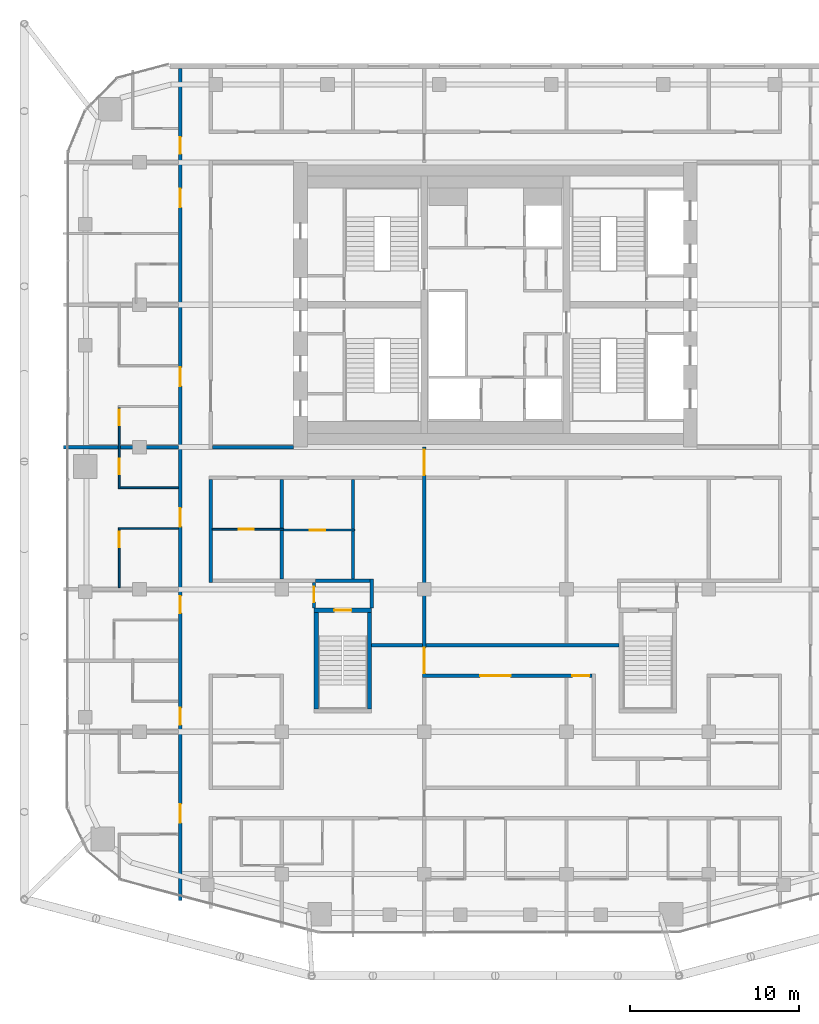
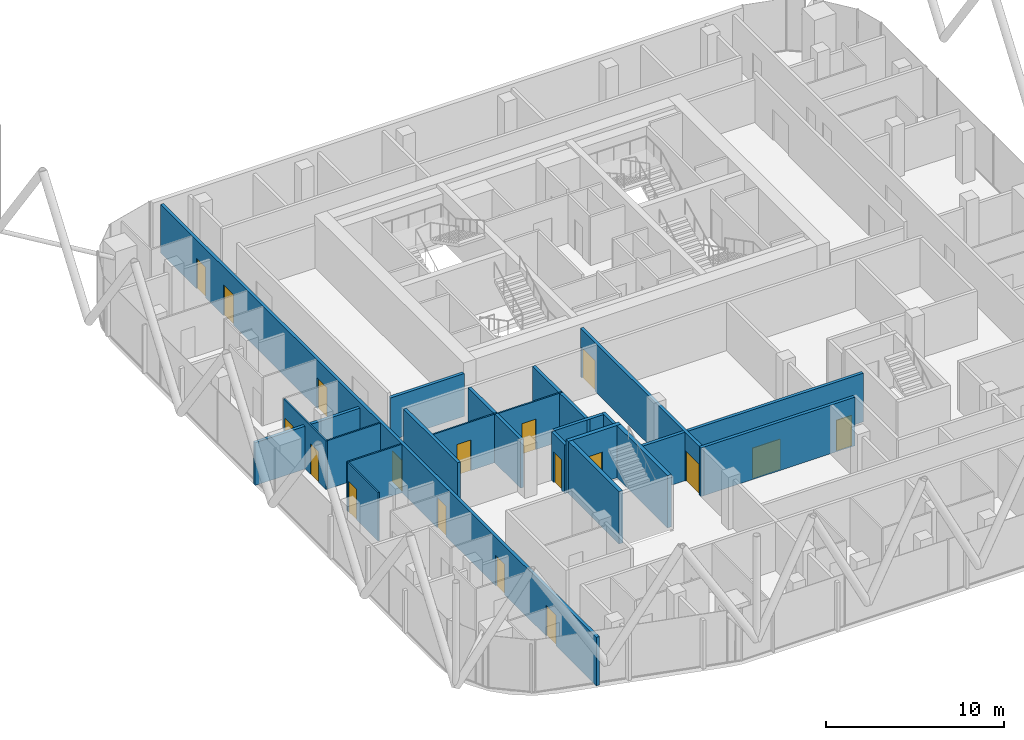
# One storey, part 21 of 28: 21 walls, 18 doors, 18 openings.
"""IFC4 building model written with IfcOpenShell, lengths in metres."""

from ifc_helpers import new_model, si_unit, direction, frame, frame_2d, origin, place, context, subcontext, project, spatial, rectangle, extrude, material, layer, layer_set, type_object, element, fill, save


model = new_model("IFC4")

# Units and contexts
model_context = context("Model", 3, precision=1e-05, world=origin(), true_north=direction((0.0, 1.0)))
body_context = subcontext(model_context, "Body", "Model", "MODEL_VIEW")
ifc_project = project(units=[si_unit("LENGTHUNIT", "METRE"), si_unit("AREAUNIT", "SQUARE_METRE"), si_unit("VOLUMEUNIT", "CUBIC_METRE"), si_unit("PLANEANGLEUNIT", "RADIAN"), si_unit("MASSUNIT", "GRAM", prefix="KILO")], contexts=[model_context])

# Site, building, storey
site_placement = place(None, origin())
site = spatial("IfcSite", under=ifc_project, at=site_placement, CompositionType="ELEMENT")
building_placement = place(site_placement, origin())
building = spatial("IfcBuilding", under=site, at=building_placement, Name="Marenta Gate Hotel Tower", CompositionType="ELEMENT")
storey_placement = place(building_placement, frame((0.0, 0.0, 198.5)))
storey = spatial("IfcBuildingStorey", under=building, at=storey_placement, Name="L45", CompositionType="ELEMENT", Elevation=198.5)

# Wall, openings, doors
ifc_material_1 = material(Name="Concrete blockwork", Category="masonry")
ifc_layer_1 = layer(ifc_material_1, 0.199951171875)
ifc_layer_set_1 = layer_set([ifc_layer_1], Name="Concrete blockwork")
wall_type_1 = type_object("IfcWallType", Name="Compartment wall 200 REI 180", PredefinedType="PARTITIONING", material=ifc_layer_set_1)
wall_1_placement = place(storey_placement, frame((-4.199951171875, -13.60009765625, 0.0), z_axis=(0.0, 0.0, 1.0), x_axis=(0.0, 1.0, 0.0)))
wall_1 = element("IfcWall", 1, at=wall_1_placement, inside=storey, type_object=wall_type_1, Name="L45-PTN-W071", PredefinedType="PARTITIONING", context=body_context, shape_type="SweptSolid", body=[
    extrude(rectangle(XDim=13.60009765625, YDim=0.199951171875, at=frame_2d((6.800048828125, 0.0))), origin(), (0.0, 0.0, 1.0), 3.340087890625),
])
opening_1_placement = place(wall_1_placement, frame((11.949951171875, 0.0, 0.0)))
opening_1 = element("IfcOpeningElement", 2, at=opening_1_placement, cuts=wall_1, Name="Opening G16-FD2", PredefinedType="OPENING", context=body_context, shape_type="SweptSolid", body=[
    extrude(rectangle(XDim=1.5, YDim=2.10009765625, at=frame_2d((0.75, 1.050048828125))), frame((0.0, 0.10009765625, 0.0), z_axis=(0.0, -1.0, 0.0), x_axis=(1.0, 0.0, 0.0)), (0.0, 0.0, 1.0), 0.199951171875),
])
opening_2_placement = place(wall_1_placement, frame((0.25, 0.0, 0.0)))
opening_2 = element("IfcOpeningElement", 3, at=opening_2_placement, cuts=wall_1, Name="Opening G16-FD3", PredefinedType="OPENING", context=body_context, shape_type="SweptSolid", body=[
    extrude(rectangle(XDim=1.5, YDim=2.10009765625, at=frame_2d((0.75, 1.050048828125))), frame((0.0, 0.10009765625, 0.0), z_axis=(0.0, -1.0, 0.0), x_axis=(1.0, 0.0, 0.0)), (0.0, 0.0, 1.0), 0.199951171875),
])
ifc_material_2 = material(Name="Hollow steel door set", Category="steel")
door_type_1 = type_object("IfcDoorType", Name="Compartment fire door 1500x2100 EI 60", OperationType="DOUBLE_DOOR_DOUBLE_SWING", PredefinedType="DOOR", material=ifc_material_2)
door_1_placement = place(opening_1_placement, origin())
door_1 = element("IfcDoor", 4, at=door_1_placement, inside=storey, type_object=door_type_1, Name="L45-PD-FD02", OperationType="DOUBLE_DOOR_DOUBLE_SWING", OverallHeight=2.10009765625, OverallWidth=1.5, PredefinedType="DOOR", context=body_context, shape_type="SweptSolid", body=[
    extrude(rectangle(XDim=1.5, YDim=2.10009765625, at=frame_2d((0.75, 1.050048828125))), frame((0.0, 0.02490234375, 0.0), z_axis=(0.0, -1.0, 0.0), x_axis=(1.0, 0.0, 0.0)), (0.0, 0.0, 1.0), 0.050048828125),
])
fill(opening_1, door_1)
door_2_placement = place(opening_2_placement, origin())
door_2 = element("IfcDoor", 5, at=door_2_placement, inside=storey, type_object=door_type_1, Name="L45-PD-FD03", OperationType="DOUBLE_DOOR_DOUBLE_SWING", OverallHeight=2.10009765625, OverallWidth=1.5, PredefinedType="DOOR", context=body_context, shape_type="SweptSolid", body=[
    extrude(rectangle(XDim=1.5, YDim=2.10009765625, at=frame_2d((0.75, 1.050048828125))), frame((0.0, 0.02490234375, 0.0), z_axis=(0.0, -1.0, 0.0), x_axis=(1.0, 0.0, 0.0)), (0.0, 0.0, 1.0), 0.050048828125),
])
fill(opening_2, door_2)

# Wall
ifc_material_3 = material(Name="Concrete blockwork", Category="masonry")
ifc_layer_2 = layer(ifc_material_3, 0.199951171875)
ifc_layer_set_2 = layer_set([ifc_layer_2], Name="Concrete blockwork")
wall_type_2 = type_object("IfcWallType", Name="Core boundary wall 200 REI 180", PredefinedType="PARTITIONING", material=ifc_layer_set_2)
wall_2_placement = place(storey_placement, frame((-16.699951171875, 0.0, 0.0), z_axis=(0.0, 0.0, 1.0), x_axis=(1.0, 0.0, 0.0)))
element("IfcWall", 6, at=wall_2_placement, inside=storey, type_object=wall_type_2, Name="L45-CP-EW-WS", PredefinedType="PARTITIONING", context=body_context, shape_type="SweptSolid", body=[
    extrude(rectangle(XDim=4.800048828125, YDim=0.199951171875, at=frame_2d((2.39990234375, 0.0))), origin(), (0.0, 0.0, 1.0), 2.93994140625),
])

# Wall, opening, door
ifc_material_4 = material(Name="Concrete C40", Category="concrete")
ifc_layer_3 = layer(ifc_material_4, 0.25)
ifc_layer_set_3 = layer_set([ifc_layer_3], Name="Concrete C40")
wall_type_3 = type_object("IfcWallType", Name="Remote stair enclosure wall 250 REI 180", PredefinedType="SHEAR", material=ifc_layer_set_3)
wall_3_placement = place(storey_placement, frame((-10.699951171875, -9.625, 0.10009765625), z_axis=(0.0, 0.0, 1.0), x_axis=(1.0, 0.0, 0.0)))
wall_3 = element("IfcWall", 7, at=wall_3_placement, inside=storey, type_object=wall_type_3, Name="L45-RS-Z3-1-W2", PredefinedType="SHEAR", context=body_context, shape_type="SweptSolid", body=[
    extrude(rectangle(XDim=3.39990234375, YDim=0.25, at=frame_2d((1.699951171875, 0.0))), origin(), (0.0, 0.0, 1.0), 3.599853515625),
])
opening_3_placement = place(wall_3_placement, frame((1.199951171875, 0.0, 0.0)))
opening_3 = element("IfcOpeningElement", 8, at=opening_3_placement, cuts=wall_3, Name="Opening VD", PredefinedType="OPENING", context=body_context, shape_type="SweptSolid", body=[
    extrude(rectangle(XDim=1.0, YDim=2.10009765625, at=frame_2d((0.5, 1.050048828125))), frame((0.0, 0.125, 0.0), z_axis=(0.0, -1.0, 0.0), x_axis=(1.0, 0.0, 0.0)), (0.0, 0.0, 1.0), 0.25),
])
ifc_material_5 = material(Name="Steel", Category="steel")
door_type_2 = type_object("IfcDoorType", Name="Stair vestibule door 1000x2100 FD60", OperationType="SINGLE_SWING_LEFT", PredefinedType="DOOR", material=ifc_material_5)
door_3_placement = place(opening_3_placement, origin())
door_3 = element("IfcDoor", 9, at=door_3_placement, inside=storey, type_object=door_type_2, Name="VD", OperationType="SINGLE_SWING_LEFT", OverallHeight=2.10009765625, OverallWidth=1.0, PredefinedType="DOOR", context=body_context, shape_type="SweptSolid", body=[
    extrude(rectangle(XDim=1.0, YDim=2.10009765625, at=frame_2d((0.5, 1.050048828125))), frame((0.0, 0.02490234375, 0.0), z_axis=(0.0, -1.0, 0.0), x_axis=(1.0, 0.0, 0.0)), (0.0, 0.0, 1.0), 0.050048828125),
])
fill(opening_3, door_3)

# Walls
for number, where, z_axis, x_axis, name in (
    (10, (-10.574951171875, -15.449951171875, 0.10009765625), (0.0, 0.0, 1.0), (0.0, 1.0, 0.0), "L45-RS-Z3-1-W3"),
    (11, (-7.425048828125, -15.449951171875, 0.10009765625), (0.0, 0.0, 1.0), (0.0, 1.0, 0.0), "L45-RS-Z3-1-W4"),
):
    element("IfcWall", number, at=place(storey_placement, frame(where, z_axis=z_axis, x_axis=x_axis)), inside=storey, type_object=wall_type_3, Name=name, PredefinedType="SHEAR", context=body_context, shape_type="SweptSolid", body=[
        extrude(rectangle(XDim=5.699951171875, YDim=0.25, at=frame_2d((2.85009765625, 0.0))), origin(), (0.0, 0.0, 1.0), 3.599853515625),
    ])

# Wall, openings, doors
ifc_material_6 = material(Name="Gypsum board on steel stud", Category="steel")
ifc_layer_4 = layer(ifc_material_6, 0.199951171875)
ifc_layer_set_4 = layer_set([ifc_layer_4], Name="Gypsum board on steel stud")
wall_type_4 = type_object("IfcWallType", Name="Room corridor wall 200 EI 60", PredefinedType="PARTITIONING", material=ifc_layer_set_4)
wall_4_placement = place(storey_placement, frame((-4.300048828125, -13.5, 0.0), z_axis=(0.0, 0.0, 1.0), x_axis=(1.0, 0.0, 0.0)))
wall_4 = element("IfcWall", 12, at=wall_4_placement, inside=storey, type_object=wall_type_4, Name="L45-PTN-W032", PredefinedType="PARTITIONING", context=body_context, shape_type="SweptSolid", body=[
    extrude(rectangle(XDim=10.0, YDim=0.199951171875, at=frame_2d((5.0, 0.0))), origin(), (0.0, 0.0, 1.0), 3.340087890625),
])
opening_4_placement = place(wall_4_placement, frame((3.39990234375, 0.0, 0.0)))
opening_4 = element("IfcOpeningElement", 13, at=opening_4_placement, cuts=wall_4, Name="Opening G16-11", PredefinedType="OPENING", context=body_context, shape_type="SweptSolid", body=[
    extrude(rectangle(XDim=1.800048828125, YDim=2.10009765625, at=frame_2d((0.89990234375, 1.050048828125))), frame((0.0, 0.10009765625, 0.0), z_axis=(0.0, -1.0, 0.0), x_axis=(1.0, 0.0, 0.0)), (0.0, 0.0, 1.0), 0.199951171875),
])
opening_5_placement = place(wall_4_placement, frame((8.85009765625, 0.0, 0.0)))
opening_5 = element("IfcOpeningElement", 14, at=opening_5_placement, cuts=wall_4, Name="Opening G16-12", PredefinedType="OPENING", context=body_context, shape_type="SweptSolid", body=[
    extrude(rectangle(XDim=1.0, YDim=2.10009765625, at=frame_2d((0.5, 1.050048828125))), frame((0.0, 0.10009765625, 0.0), z_axis=(0.0, -1.0, 0.0), x_axis=(1.0, 0.0, 0.0)), (0.0, 0.0, 1.0), 0.199951171875),
])
ifc_material_7 = material(Name="Timber door leaf", Category="wood")
door_type_3 = type_object("IfcDoorType", Name="Room amenity door 1000x2100 EI 30", OperationType="NOTDEFINED", PredefinedType="DOOR", material=ifc_material_7)
door_4_placement = place(opening_5_placement, origin())
door_4 = element("IfcDoor", 15, at=door_4_placement, inside=storey, type_object=door_type_3, Name="L45-PD-D012", OperationType="SINGLE_SWING_LEFT", OverallHeight=2.10009765625, OverallWidth=1.0, PredefinedType="DOOR", context=body_context, shape_type="SweptSolid", body=[
    extrude(rectangle(XDim=1.0, YDim=2.10009765625, at=frame_2d((0.5, 1.050048828125))), frame((0.0, 0.02490234375, 0.0), z_axis=(0.0, -1.0, 0.0), x_axis=(1.0, 0.0, 0.0)), (0.0, 0.0, 1.0), 0.050048828125),
])
fill(opening_5, door_4)
ifc_material_8 = material(Name="Timber door leaf", Category="wood")
door_type_4 = type_object("IfcDoorType", Name="Room amenity door 1800x2100 EI 30", OperationType="DOUBLE_DOOR_SINGLE_SWING", PredefinedType="DOOR", material=ifc_material_8)
door_5_placement = place(opening_4_placement, origin())
door_5 = element("IfcDoor", 16, at=door_5_placement, inside=storey, type_object=door_type_4, Name="L45-PD-D011", OperationType="DOUBLE_DOOR_SINGLE_SWING", OverallHeight=2.10009765625, OverallWidth=1.800048828125, PredefinedType="DOOR", context=body_context, shape_type="SweptSolid", body=[
    extrude(rectangle(XDim=1.800048828125, YDim=2.10009765625, at=frame_2d((0.89990234375, 1.050048828125))), frame((0.0, 0.02490234375, 0.0), z_axis=(0.0, -1.0, 0.0), x_axis=(1.0, 0.0, 0.0)), (0.0, 0.0, 1.0), 0.050048828125),
])
fill(opening_4, door_5)

# Walls
wall_5_placement = place(storey_placement, frame((-7.300048828125, -11.699951171875, 0.0), z_axis=(0.0, 0.0, 1.0), x_axis=(1.0, 0.0, 0.0)))
element("IfcWall", 17, at=wall_5_placement, inside=storey, type_object=wall_type_4, Name="L45-PTN-W040", PredefinedType="PARTITIONING", context=body_context, shape_type="SweptSolid", body=[
    extrude(rectangle(XDim=14.60009765625, YDim=0.199951171875, at=frame_2d((7.300048828125, 0.0))), origin(), (0.0, 0.0, 1.0), 3.340087890625),
])
wall_6_placement = place(storey_placement, frame((-16.800048828125, -8.0, 0.0), z_axis=(0.0, 0.0, 1.0), x_axis=(0.0, 1.0, 0.0)))
element("IfcWall", 18, at=wall_6_placement, inside=storey, type_object=wall_type_4, Name="L45-PTN-W095", PredefinedType="PARTITIONING", context=body_context, shape_type="SweptSolid", body=[
    extrude(rectangle(XDim=6.10009765625, YDim=0.199951171875, at=frame_2d((3.050048828125, 0.0))), origin(), (0.0, 0.0, 1.0), 3.340087890625),
])

# Wall, openings, doors
wall_7_placement = place(storey_placement, frame((-18.60009765625, -26.7509765625, 0.0), z_axis=(0.0, 0.0, 1.0), x_axis=(0.0, 1.0, 0.0)))
wall_7 = element("IfcWall", 19, at=wall_7_placement, inside=storey, type_object=wall_type_4, Name="L45-PTN-W099", PredefinedType="PARTITIONING", context=body_context, shape_type="SweptSolid", body=[
    extrude(rectangle(XDim=49.091064453125, YDim=0.199951171875, at=frame_2d((24.54541015625, 0.0))), origin(), (0.0, 0.0, 1.0), 3.340087890625),
])
opening_6_placement = place(wall_7_placement, frame((4.575927734375, 0.0, 0.0)))
opening_6 = element("IfcOpeningElement", 20, at=opening_6_placement, cuts=wall_7, Name="Opening G16-46", PredefinedType="OPENING", context=body_context, shape_type="SweptSolid", body=[
    extrude(rectangle(XDim=1.10009765625, YDim=2.10009765625, at=frame_2d((0.550048828125, 1.050048828125))), frame((0.0, 0.10009765625, 0.0), z_axis=(0.0, -1.0, 0.0), x_axis=(1.0, 0.0, 0.0)), (0.0, 0.0, 1.0), 0.199951171875),
])
opening_7_placement = place(wall_7_placement, frame((10.35107421875, 0.0, 0.0)))
opening_7 = element("IfcOpeningElement", 21, at=opening_7_placement, cuts=wall_7, Name="Opening G16-49", PredefinedType="OPENING", context=body_context, shape_type="SweptSolid", body=[
    extrude(rectangle(XDim=1.0, YDim=2.10009765625, at=frame_2d((0.5, 1.050048828125))), frame((0.0, 0.10009765625, 0.0), z_axis=(0.0, -1.0, 0.0), x_axis=(1.0, 0.0, 0.0)), (0.0, 0.0, 1.0), 0.199951171875),
])
opening_8_placement = place(wall_7_placement, frame((16.950927734375, 0.0, 0.0)))
opening_8 = element("IfcOpeningElement", 22, at=opening_8_placement, cuts=wall_7, Name="Opening G16-51", PredefinedType="OPENING", context=body_context, shape_type="SweptSolid", body=[
    extrude(rectangle(XDim=1.0, YDim=2.10009765625, at=frame_2d((0.5, 1.050048828125))), frame((0.0, 0.10009765625, 0.0), z_axis=(0.0, -1.0, 0.0), x_axis=(1.0, 0.0, 0.0)), (0.0, 0.0, 1.0), 0.199951171875),
])
opening_9_placement = place(wall_7_placement, frame((22.051025390625, 0.0, 0.0)))
opening_9 = element("IfcOpeningElement", 23, at=opening_9_placement, cuts=wall_7, Name="Opening G16-53", PredefinedType="OPENING", context=body_context, shape_type="SweptSolid", body=[
    extrude(rectangle(XDim=1.10009765625, YDim=2.10009765625, at=frame_2d((0.550048828125, 1.050048828125))), frame((0.0, 0.10009765625, 0.0), z_axis=(0.0, -1.0, 0.0), x_axis=(1.0, 0.0, 0.0)), (0.0, 0.0, 1.0), 0.199951171875),
])
opening_10_placement = place(wall_7_placement, frame((30.35107421875, 0.0, 0.0)))
opening_10 = element("IfcOpeningElement", 24, at=opening_10_placement, cuts=wall_7, Name="Opening G16-56", PredefinedType="OPENING", context=body_context, shape_type="SweptSolid", body=[
    extrude(rectangle(XDim=1.10009765625, YDim=2.10009765625, at=frame_2d((0.550048828125, 1.050048828125))), frame((0.0, 0.10009765625, 0.0), z_axis=(0.0, -1.0, 0.0), x_axis=(1.0, 0.0, 0.0)), (0.0, 0.0, 1.0), 0.199951171875),
])
opening_11_placement = place(wall_7_placement, frame((40.90087890625, 0.0, 0.0)))
opening_11 = element("IfcOpeningElement", 25, at=opening_11_placement, cuts=wall_7, Name="Opening G16-59", PredefinedType="OPENING", context=body_context, shape_type="SweptSolid", body=[
    extrude(rectangle(XDim=1.10009765625, YDim=2.10009765625, at=frame_2d((0.550048828125, 1.050048828125))), frame((0.0, 0.10009765625, 0.0), z_axis=(0.0, -1.0, 0.0), x_axis=(1.0, 0.0, 0.0)), (0.0, 0.0, 1.0), 0.199951171875),
])
opening_12_placement = place(wall_7_placement, frame((44.051025390625, 0.0, 0.0)))
opening_12 = element("IfcOpeningElement", 26, at=opening_12_placement, cuts=wall_7, Name="Opening G16-62", PredefinedType="OPENING", context=body_context, shape_type="SweptSolid", body=[
    extrude(rectangle(XDim=1.0, YDim=2.10009765625, at=frame_2d((0.5, 1.050048828125))), frame((0.0, 0.10009765625, 0.0), z_axis=(0.0, -1.0, 0.0), x_axis=(1.0, 0.0, 0.0)), (0.0, 0.0, 1.0), 0.199951171875),
])
ifc_material_9 = material(Name="Timber door leaf", Category="wood")
door_type_5 = type_object("IfcDoorType", Name="Guest room door 1000x2100 EI 30", OperationType="NOTDEFINED", PredefinedType="DOOR", material=ifc_material_9)
door_6_placement = place(opening_7_placement, origin())
door_6 = element("IfcDoor", 27, at=door_6_placement, inside=storey, type_object=door_type_5, Name="L45-PD-D049", OperationType="SINGLE_SWING_RIGHT", OverallHeight=2.10009765625, OverallWidth=1.0, PredefinedType="DOOR", context=body_context, shape_type="SweptSolid", body=[
    extrude(rectangle(XDim=1.0, YDim=2.10009765625, at=frame_2d((0.5, 1.050048828125))), frame((0.0, 0.02490234375, 0.0), z_axis=(0.0, -1.0, 0.0), x_axis=(1.0, 0.0, 0.0)), (0.0, 0.0, 1.0), 0.050048828125),
])
fill(opening_7, door_6)
door_7_placement = place(opening_8_placement, origin())
door_7 = element("IfcDoor", 28, at=door_7_placement, inside=storey, type_object=door_type_5, Name="L45-PD-D051", OperationType="SINGLE_SWING_RIGHT", OverallHeight=2.10009765625, OverallWidth=1.0, PredefinedType="DOOR", context=body_context, shape_type="SweptSolid", body=[
    extrude(rectangle(XDim=1.0, YDim=2.10009765625, at=frame_2d((0.5, 1.050048828125))), frame((0.0, 0.02490234375, 0.0), z_axis=(0.0, -1.0, 0.0), x_axis=(1.0, 0.0, 0.0)), (0.0, 0.0, 1.0), 0.050048828125),
])
fill(opening_8, door_7)
door_8_placement = place(opening_12_placement, origin())
door_8 = element("IfcDoor", 29, at=door_8_placement, inside=storey, type_object=door_type_5, Name="L45-PD-D062", OperationType="SINGLE_SWING_LEFT", OverallHeight=2.10009765625, OverallWidth=1.0, PredefinedType="DOOR", context=body_context, shape_type="SweptSolid", body=[
    extrude(rectangle(XDim=1.0, YDim=2.10009765625, at=frame_2d((0.5, 1.050048828125))), frame((0.0, 0.02490234375, 0.0), z_axis=(0.0, -1.0, 0.0), x_axis=(1.0, 0.0, 0.0)), (0.0, 0.0, 1.0), 0.050048828125),
])
fill(opening_12, door_8)
ifc_material_10 = material(Name="Timber door leaf", Category="wood")
door_type_6 = type_object("IfcDoorType", Name="Guest room door 1100x2100 EI 30", OperationType="NOTDEFINED", PredefinedType="DOOR", material=ifc_material_10)
door_9_placement = place(opening_6_placement, origin())
door_9 = element("IfcDoor", 30, at=door_9_placement, inside=storey, type_object=door_type_6, Name="L45-PD-D046", OperationType="SINGLE_SWING_LEFT", OverallHeight=2.10009765625, OverallWidth=1.10009765625, PredefinedType="DOOR", context=body_context, shape_type="SweptSolid", body=[
    extrude(rectangle(XDim=1.10009765625, YDim=2.10009765625, at=frame_2d((0.550048828125, 1.050048828125))), frame((0.0, 0.02490234375, 0.0), z_axis=(0.0, -1.0, 0.0), x_axis=(1.0, 0.0, 0.0)), (0.0, 0.0, 1.0), 0.050048828125),
])
fill(opening_6, door_9)
door_10_placement = place(opening_9_placement, origin())
door_10 = element("IfcDoor", 31, at=door_10_placement, inside=storey, type_object=door_type_6, Name="L45-PD-D053", OperationType="SINGLE_SWING_LEFT", OverallHeight=2.10009765625, OverallWidth=1.10009765625, PredefinedType="DOOR", context=body_context, shape_type="SweptSolid", body=[
    extrude(rectangle(XDim=1.10009765625, YDim=2.10009765625, at=frame_2d((0.550048828125, 1.050048828125))), frame((0.0, 0.02490234375, 0.0), z_axis=(0.0, -1.0, 0.0), x_axis=(1.0, 0.0, 0.0)), (0.0, 0.0, 1.0), 0.050048828125),
])
fill(opening_9, door_10)
door_11_placement = place(opening_10_placement, origin())
door_11 = element("IfcDoor", 32, at=door_11_placement, inside=storey, type_object=door_type_6, Name="L45-PD-D056", OperationType="SINGLE_SWING_RIGHT", OverallHeight=2.10009765625, OverallWidth=1.10009765625, PredefinedType="DOOR", context=body_context, shape_type="SweptSolid", body=[
    extrude(rectangle(XDim=1.10009765625, YDim=2.10009765625, at=frame_2d((0.550048828125, 1.050048828125))), frame((0.0, 0.02490234375, 0.0), z_axis=(0.0, -1.0, 0.0), x_axis=(1.0, 0.0, 0.0)), (0.0, 0.0, 1.0), 0.050048828125),
])
fill(opening_10, door_11)
door_12_placement = place(opening_11_placement, origin())
door_12 = element("IfcDoor", 33, at=door_12_placement, inside=storey, type_object=door_type_6, Name="L45-PD-D059", OperationType="SINGLE_SWING_RIGHT", OverallHeight=2.10009765625, OverallWidth=1.10009765625, PredefinedType="DOOR", context=body_context, shape_type="SweptSolid", body=[
    extrude(rectangle(XDim=1.10009765625, YDim=2.10009765625, at=frame_2d((0.550048828125, 1.050048828125))), frame((0.0, 0.02490234375, 0.0), z_axis=(0.0, -1.0, 0.0), x_axis=(1.0, 0.0, 0.0)), (0.0, 0.0, 1.0), 0.050048828125),
])
fill(opening_11, door_12)

# Wall, opening, door
ifc_material_11 = material(Name="Concrete blockwork", Category="masonry")
ifc_layer_5 = layer(ifc_material_11, 0.199951171875)
ifc_layer_set_5 = layer_set([ifc_layer_5], Name="Concrete blockwork")
wall_type_5 = type_object("IfcWallType", Name="Room corridor wall 200 REI 180", PredefinedType="PARTITIONING", material=ifc_layer_set_5)
wall_8_placement = place(storey_placement, frame((-10.699951171875, -9.5, 0.0), z_axis=(0.0, 0.0, 1.0), x_axis=(0.0, 1.0, 0.0)))
wall_8 = element("IfcWall", 34, at=wall_8_placement, inside=storey, type_object=wall_type_5, Name="L45-PTN-W082", PredefinedType="PARTITIONING", context=body_context, shape_type="SweptSolid", body=[
    extrude(rectangle(XDim=1.5, YDim=0.199951171875, at=frame_2d((0.75, 0.0))), origin(), (0.0, 0.0, 1.0), 3.340087890625),
])
opening_13_placement = place(wall_8_placement, frame((0.35009765625, 0.0, 0.0)))
opening_13 = element("IfcOpeningElement", 35, at=opening_13_placement, cuts=wall_8, Name="Opening G16-64", PredefinedType="OPENING", context=body_context, shape_type="SweptSolid", body=[
    extrude(rectangle(XDim=0.89990234375, YDim=2.10009765625, at=frame_2d((0.449951171875, 1.050048828125))), frame((0.0, 0.10009765625, 0.0), z_axis=(0.0, -1.0, 0.0), x_axis=(1.0, 0.0, 0.0)), (0.0, 0.0, 1.0), 0.199951171875),
])
ifc_material_12 = material(Name="Hollow steel door set", Category="steel")
door_type_7 = type_object("IfcDoorType", Name="Stair vestibule door 900x2100 EI 60", OperationType="NOTDEFINED", PredefinedType="DOOR", material=ifc_material_12)
door_13_placement = place(opening_13_placement, origin())
door_13 = element("IfcDoor", 36, at=door_13_placement, inside=storey, type_object=door_type_7, Name="L45-PD-D064", OperationType="SINGLE_SWING_LEFT", OverallHeight=2.10009765625, OverallWidth=0.89990234375, PredefinedType="DOOR", context=body_context, shape_type="SweptSolid", body=[
    extrude(rectangle(XDim=0.89990234375, YDim=2.10009765625, at=frame_2d((0.449951171875, 1.050048828125))), frame((0.0, 0.02490234375, 0.0), z_axis=(0.0, -1.0, 0.0), x_axis=(1.0, 0.0, 0.0)), (0.0, 0.0, 1.0), 0.050048828125),
])
fill(opening_13, door_13)

ifc_material_13 = material(Name="Gypsum board on steel stud", Category="steel")
ifc_layer_6 = layer(ifc_material_13, 0.10009765625)
ifc_layer_set_6 = layer_set([ifc_layer_6], Name="Gypsum board on steel stud")
wall_type_6 = type_object("IfcWallType", Name="Room partition 100", PredefinedType="PARTITIONING", material=ifc_layer_set_6)
wall_9_placement = place(storey_placement, frame((-12.5, -4.89990234375, 0.0), z_axis=(0.0, 0.0, 1.0), x_axis=(1.0, 0.0, 0.0)))
wall_9 = element("IfcWall", 37, at=wall_9_placement, inside=storey, type_object=wall_type_6, Name="L45-PTN-W055", PredefinedType="PARTITIONING", context=body_context, shape_type="SweptSolid", body=[
    extrude(rectangle(XDim=4.199951171875, YDim=0.10009765625, at=frame_2d((2.10009765625, 0.0))), origin(), (0.0, 0.0, 1.0), 3.340087890625),
])
opening_14_placement = place(wall_9_placement, frame((1.550048828125, 0.0, 0.0)))
opening_14 = element("IfcOpeningElement", 38, at=opening_14_placement, cuts=wall_9, Name="Opening G16-04", PredefinedType="OPENING", context=body_context, shape_type="SweptSolid", body=[
    extrude(rectangle(XDim=0.89990234375, YDim=2.10009765625, at=frame_2d((0.449951171875, 1.050048828125))), frame((0.0, 0.050048828125, 0.0), z_axis=(0.0, -1.0, 0.0), x_axis=(1.0, 0.0, 0.0)), (0.0, 0.0, 1.0), 0.10009765625),
])
ifc_material_14 = material(Name="Timber door leaf", Category="wood")
door_type_8 = type_object("IfcDoorType", Name="Room inner door 900x2100", OperationType="NOTDEFINED", PredefinedType="DOOR", material=ifc_material_14)
door_14_placement = place(opening_14_placement, origin())
door_14 = element("IfcDoor", 39, at=door_14_placement, inside=storey, type_object=door_type_8, Name="L45-PD-D004", OperationType="SINGLE_SWING_RIGHT", OverallHeight=2.10009765625, OverallWidth=0.89990234375, PredefinedType="DOOR", context=body_context, shape_type="SweptSolid", body=[
    extrude(rectangle(XDim=0.89990234375, YDim=2.10009765625, at=frame_2d((0.449951171875, 1.050048828125))), frame((0.0, 0.02490234375, 0.0), z_axis=(0.0, -1.0, 0.0), x_axis=(1.0, 0.0, 0.0)), (0.0, 0.0, 1.0), 0.050048828125),
])
fill(opening_14, door_14)

wall_10_placement = place(storey_placement, frame((-16.699951171875, -4.85009765625, 0.0), z_axis=(0.0, 0.0, 1.0), x_axis=(1.0, 0.0, 0.0)))
wall_10 = element("IfcWall", 40, at=wall_10_placement, inside=storey, type_object=wall_type_6, Name="L45-PTN-W056", PredefinedType="PARTITIONING", context=body_context, shape_type="SweptSolid", body=[
    extrude(rectangle(XDim=4.199951171875, YDim=0.10009765625, at=frame_2d((2.10009765625, 0.0))), origin(), (0.0, 0.0, 1.0), 3.340087890625),
])
opening_15_placement = place(wall_10_placement, frame((1.550048828125, 0.0, 0.0)))
opening_15 = element("IfcOpeningElement", 41, at=opening_15_placement, cuts=wall_10, Name="Opening G16-02", PredefinedType="OPENING", context=body_context, shape_type="SweptSolid", body=[
    extrude(rectangle(XDim=0.89990234375, YDim=2.10009765625, at=frame_2d((0.449951171875, 1.050048828125))), frame((0.0, 0.050048828125, 0.0), z_axis=(0.0, -1.0, 0.0), x_axis=(1.0, 0.0, 0.0)), (0.0, 0.0, 1.0), 0.10009765625),
])
door_15_placement = place(opening_15_placement, origin())
door_15 = element("IfcDoor", 42, at=door_15_placement, inside=storey, type_object=door_type_8, Name="L45-PD-D002", OperationType="SINGLE_SWING_RIGHT", OverallHeight=2.10009765625, OverallWidth=0.89990234375, PredefinedType="DOOR", context=body_context, shape_type="SweptSolid", body=[
    extrude(rectangle(XDim=0.89990234375, YDim=2.10009765625, at=frame_2d((0.449951171875, 1.050048828125))), frame((0.0, 0.02490234375, 0.0), z_axis=(0.0, -1.0, 0.0), x_axis=(1.0, 0.0, 0.0)), (0.0, 0.0, 1.0), 0.050048828125),
])
fill(opening_15, door_15)

# Walls
wall_11_placement = place(storey_placement, frame((-22.25, -4.800048828125, 0.0), z_axis=(0.0, 0.0, 1.0), x_axis=(1.0, 0.0, 0.0)))
element("IfcWall", 43, at=wall_11_placement, inside=storey, type_object=wall_type_6, Name="L45-PTN-W057", PredefinedType="PARTITIONING", context=body_context, shape_type="SweptSolid", body=[
    extrude(rectangle(XDim=3.550048828125, YDim=0.10009765625, at=frame_2d((1.77490234375, 0.0))), origin(), (0.0, 0.0, 1.0), 3.340087890625),
])
wall_12_placement = place(storey_placement, frame((-22.14990234375, -2.39990234375, 0.0), z_axis=(0.0, 0.0, 1.0), x_axis=(1.0, 0.0, 0.0)))
element("IfcWall", 44, at=wall_12_placement, inside=storey, type_object=wall_type_6, Name="L45-PTN-W063", PredefinedType="PARTITIONING", context=body_context, shape_type="SweptSolid", body=[
    extrude(rectangle(XDim=3.449951171875, YDim=0.10009765625, at=frame_2d((1.72509765625, 0.0))), origin(), (0.0, 0.0, 1.0), 3.340087890625),
])

# Wall, opening, door
wall_13_placement = place(storey_placement, frame((-22.199951171875, -8.300048828125, 0.0), z_axis=(0.0, 0.0, 1.0), x_axis=(0.0, 1.0, 0.0)))
wall_13 = element("IfcWall", 45, at=wall_13_placement, inside=storey, type_object=wall_type_6, Name="L45-PTN-W107", PredefinedType="PARTITIONING", context=body_context, shape_type="SweptSolid", body=[
    extrude(rectangle(XDim=3.449951171875, YDim=0.10009765625, at=frame_2d((1.72509765625, 0.0))), origin(), (0.0, 0.0, 1.0), 3.340087890625),
])
opening_16_placement = place(wall_13_placement, frame((2.39990234375, 0.0, 0.0)))
opening_16 = element("IfcOpeningElement", 46, at=opening_16_placement, cuts=wall_13, Name="Opening G16-54", PredefinedType="OPENING", context=body_context, shape_type="SweptSolid", body=[
    extrude(rectangle(XDim=0.89990234375, YDim=2.10009765625, at=frame_2d((0.449951171875, 1.050048828125))), frame((0.0, 0.050048828125, 0.0), z_axis=(0.0, -1.0, 0.0), x_axis=(1.0, 0.0, 0.0)), (0.0, 0.0, 1.0), 0.10009765625),
])
ifc_material_15 = material(Name="Timber door leaf", Category="wood")
door_type_9 = type_object("IfcDoorType", Name="Guest bathroom door 900x2100", OperationType="NOTDEFINED", PredefinedType="DOOR", material=ifc_material_15)
door_16_placement = place(opening_16_placement, origin())
door_16 = element("IfcDoor", 47, at=door_16_placement, inside=storey, type_object=door_type_9, Name="L45-PD-D054", OperationType="SINGLE_SWING_LEFT", OverallHeight=2.10009765625, OverallWidth=0.89990234375, PredefinedType="DOOR", context=body_context, shape_type="SweptSolid", body=[
    extrude(rectangle(XDim=0.89990234375, YDim=2.10009765625, at=frame_2d((0.449951171875, 1.050048828125))), frame((0.0, 0.02490234375, 0.0), z_axis=(0.0, -1.0, 0.0), x_axis=(1.0, 0.0, 0.0)), (0.0, 0.0, 1.0), 0.050048828125),
])
fill(opening_16, door_16)

# Wall, openings, doors
wall_14_placement = place(storey_placement, frame((-22.199951171875, -2.449951171875, 0.0), z_axis=(0.0, 0.0, 1.0), x_axis=(0.0, 1.0, 0.0)))
wall_14 = element("IfcWall", 48, at=wall_14_placement, inside=storey, type_object=wall_type_6, Name="L45-PTN-W108", PredefinedType="PARTITIONING", context=body_context, shape_type="SweptSolid", body=[
    extrude(rectangle(XDim=4.800048828125, YDim=0.10009765625, at=frame_2d((2.39990234375, 0.0))), origin(), (0.0, 0.0, 1.0), 3.340087890625),
])
opening_17_placement = place(wall_14_placement, frame((0.85009765625, 0.0, 0.0)))
opening_17 = element("IfcOpeningElement", 49, at=opening_17_placement, cuts=wall_14, Name="Opening G16-55", PredefinedType="OPENING", context=body_context, shape_type="SweptSolid", body=[
    extrude(rectangle(XDim=0.89990234375, YDim=2.10009765625, at=frame_2d((0.449951171875, 1.050048828125))), frame((0.0, 0.050048828125, 0.0), z_axis=(0.0, -1.0, 0.0), x_axis=(1.0, 0.0, 0.0)), (0.0, 0.0, 1.0), 0.10009765625),
])
opening_18_placement = place(wall_14_placement, frame((3.75, 0.0, 0.0)))
opening_18 = element("IfcOpeningElement", 50, at=opening_18_placement, cuts=wall_14, Name="Opening G16-58", PredefinedType="OPENING", context=body_context, shape_type="SweptSolid", body=[
    extrude(rectangle(XDim=0.89990234375, YDim=2.10009765625, at=frame_2d((0.449951171875, 1.050048828125))), frame((0.0, 0.050048828125, 0.0), z_axis=(0.0, -1.0, 0.0), x_axis=(1.0, 0.0, 0.0)), (0.0, 0.0, 1.0), 0.10009765625),
])
door_17_placement = place(opening_17_placement, origin())
door_17 = element("IfcDoor", 51, at=door_17_placement, inside=storey, type_object=door_type_8, Name="L45-PD-D055", OperationType="SINGLE_SWING_LEFT", OverallHeight=2.10009765625, OverallWidth=0.89990234375, PredefinedType="DOOR", context=body_context, shape_type="SweptSolid", body=[
    extrude(rectangle(XDim=0.89990234375, YDim=2.10009765625, at=frame_2d((0.449951171875, 1.050048828125))), frame((0.0, 0.02490234375, 0.0), z_axis=(0.0, -1.0, 0.0), x_axis=(1.0, 0.0, 0.0)), (0.0, 0.0, 1.0), 0.050048828125),
])
fill(opening_17, door_17)
door_18_placement = place(opening_18_placement, origin())
door_18 = element("IfcDoor", 52, at=door_18_placement, inside=storey, type_object=door_type_8, Name="L45-PD-D058", OperationType="SINGLE_SWING_LEFT", OverallHeight=2.10009765625, OverallWidth=0.89990234375, PredefinedType="DOOR", context=body_context, shape_type="SweptSolid", body=[
    extrude(rectangle(XDim=0.89990234375, YDim=2.10009765625, at=frame_2d((0.449951171875, 1.050048828125))), frame((0.0, 0.02490234375, 0.0), z_axis=(0.0, -1.0, 0.0), x_axis=(1.0, 0.0, 0.0)), (0.0, 0.0, 1.0), 0.050048828125),
])
fill(opening_18, door_18)

# Walls
ifc_material_16 = material(Name="Concrete blockwork", Category="masonry")
ifc_layer_7 = layer(ifc_material_16, 0.199951171875)
ifc_layer_set_7 = layer_set([ifc_layer_7], Name="Concrete blockwork")
wall_type_7 = type_object("IfcWallType", Name="Room party wall 200 EI 120", PredefinedType="PARTITIONING", material=ifc_layer_set_7)
wall_15_placement = place(storey_placement, frame((-8.39990234375, -8.0, 0.0), z_axis=(0.0, 0.0, 1.0), x_axis=(0.0, 1.0, 0.0)))
element("IfcWall", 53, at=wall_15_placement, inside=storey, type_object=wall_type_7, Name="L45-PTN-W077", PredefinedType="PARTITIONING", context=body_context, shape_type="SweptSolid", body=[
    extrude(rectangle(XDim=6.10009765625, YDim=0.199951171875, at=frame_2d((3.050048828125, 0.0))), origin(), (0.0, 0.0, 1.0), 3.340087890625),
])
wall_16_placement = place(storey_placement, frame((-12.60009765625, -7.800048828125, 0.0), z_axis=(0.0, 0.0, 1.0), x_axis=(0.0, 1.0, 0.0)))
element("IfcWall", 54, at=wall_16_placement, inside=storey, type_object=wall_type_7, Name="L45-PTN-W086", PredefinedType="PARTITIONING", context=body_context, shape_type="SweptSolid", body=[
    extrude(rectangle(XDim=5.900146484375, YDim=0.199951171875, at=frame_2d((2.9501953125, 0.0))), origin(), (0.0, 0.0, 1.0), 3.340087890625),
])
ifc_material_17 = material(Name="Gypsum board on steel stud", Category="steel")
ifc_layer_8 = layer(ifc_material_17, 0.199951171875)
ifc_layer_set_8 = layer_set([ifc_layer_8], Name="Gypsum board on steel stud")
wall_type_8 = type_object("IfcWallType", Name="Room party wall 200 EI 60", PredefinedType="PARTITIONING", material=ifc_layer_set_8)
wall_17_placement = place(storey_placement, frame((-25.5, 0.0, 0.0), z_axis=(0.0, 0.0, 1.0), x_axis=(1.0, 0.0, 0.0)))
element("IfcWall", 55, at=wall_17_placement, inside=storey, type_object=wall_type_8, Name="L45-PTN-W066", PredefinedType="PARTITIONING", context=body_context, shape_type="SweptSolid", body=[
    extrude(rectangle(XDim=6.800048828125, YDim=0.199951171875, at=frame_2d((3.39990234375, 0.0))), origin(), (0.0, 0.0, 1.0), 2.93994140625),
])
ifc_material_18 = material(Name="Concrete blockwork", Category="masonry")
ifc_layer_9 = layer(ifc_material_18, 0.199951171875)
ifc_layer_set_9 = layer_set([ifc_layer_9], Name="Concrete blockwork")
wall_type_9 = type_object("IfcWallType", Name="Room party wall 200 REI 180", PredefinedType="PARTITIONING", material=ifc_layer_set_9)
wall_18_placement = place(storey_placement, frame((-10.60009765625, -7.89990234375, 0.0), z_axis=(0.0, 0.0, 1.0), x_axis=(1.0, 0.0, 0.0)))
element("IfcWall", 56, at=wall_18_placement, inside=storey, type_object=wall_type_9, Name="L45-PTN-W049", PredefinedType="PARTITIONING", context=body_context, shape_type="SweptSolid", body=[
    extrude(rectangle(XDim=3.2001953125, YDim=0.199951171875, at=frame_2d((1.60009765625, 0.0))), origin(), (0.0, 0.0, 1.0), 3.340087890625),
])
wall_19_placement = place(storey_placement, frame((-7.300048828125, -9.5, 0.0), z_axis=(0.0, 0.0, 1.0), x_axis=(0.0, 1.0, 0.0)))
element("IfcWall", 57, at=wall_19_placement, inside=storey, type_object=wall_type_9, Name="L45-PTN-W075", PredefinedType="PARTITIONING", context=body_context, shape_type="SweptSolid", body=[
    extrude(rectangle(XDim=1.699951171875, YDim=0.199951171875, at=frame_2d((0.85009765625, 0.0))), origin(), (0.0, 0.0, 1.0), 3.340087890625),
])

save(model, "model.ifc")
